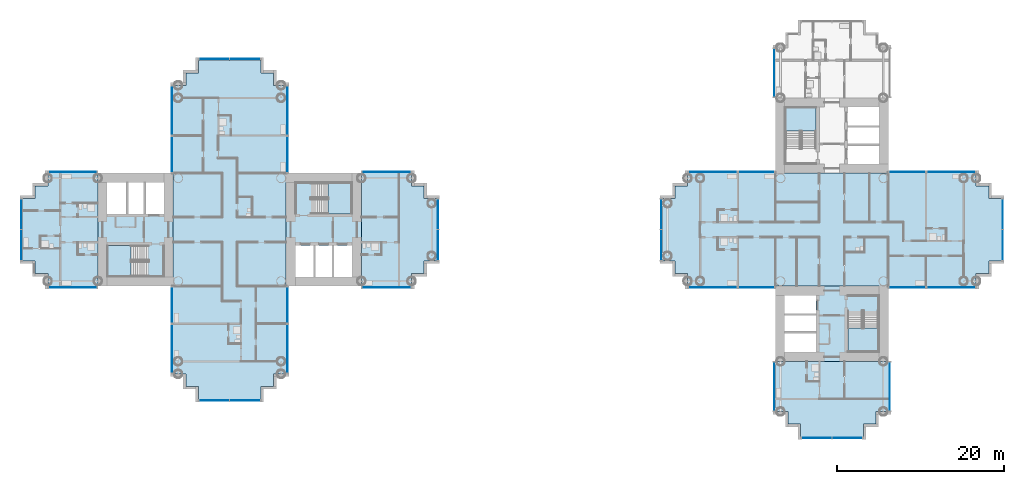
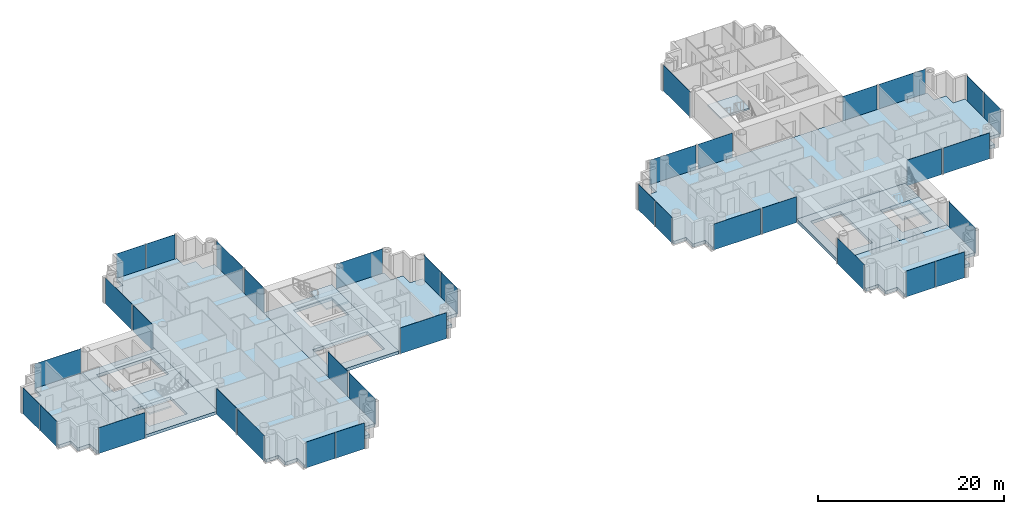
# One storey, part 7 of 21: 37 plates, 12 slabs, 34 elements without a shape of their own.
"""IFC4 building model written with IfcOpenShell, lengths in metres."""

from ifc_helpers import new_model, si_unit, direction, frame, origin, origin_2d, place, context, subcontext, project, spatial, polyline, rectangle, outline, extrude, material, layer, layer_set, type_object, element, aggregate, save


model = new_model("IFC4")

# Units and contexts
model_context = context("Model", 3, precision=1e-05, world=origin(), true_north=direction((0.0, 1.0)))
body_context = subcontext(model_context, "Body", "Model", "MODEL_VIEW")
ifc_project = project(units=[si_unit("LENGTHUNIT", "METRE"), si_unit("AREAUNIT", "SQUARE_METRE"), si_unit("VOLUMEUNIT", "CUBIC_METRE"), si_unit("PLANEANGLEUNIT", "RADIAN"), si_unit("MASSUNIT", "GRAM", prefix="KILO")], contexts=[model_context])

# Site, building, storey
site_placement = place(None, origin())
site = spatial("IfcSite", under=ifc_project, at=site_placement, CompositionType="ELEMENT")
building_placement = place(site_placement, origin())
building = spatial("IfcBuilding", under=site, at=building_placement, Name="Ipe Terrace Towers", CompositionType="ELEMENT")
storey_placement = place(building_placement, frame((0.0, 0.0, 41.5)))
storey = spatial("IfcBuildingStorey", under=building, at=storey_placement, Name="L10", CompositionType="ELEMENT", Elevation=41.5)

# Slabs
ifc_material_1 = material(Name="Concrete C30/37", Category="concrete")
ifc_layer_1 = layer(ifc_material_1, 0.39990234375)
ifc_layer_set_1 = layer_set([ifc_layer_1], Name="CORE FLOOR SLAB 400 C30-37")
slab_type_1 = type_object("IfcSlabType", Name="CORE FLOOR SLAB 400 C30-37", PredefinedType="FLOOR", material=ifc_layer_set_1)
slab_1_placement = place(storey_placement, frame((0.0, 0.0, -0.39990234375)))
element("IfcSlab", 1, at=slab_1_placement, inside=storey, type_object=slab_type_1, Name="Core floor T1-C1", PredefinedType="FLOOR", context=body_context, shape_type="SweptSolid", body=[
    extrude(outline(polyline([(-29.25, -6.75), (-29.25, 6.75), (-20.25, 6.75), (-20.25, -6.75), (-29.25, -6.75)]), holes=[polyline([(-28.14990234375, -5.64990234375), (-21.35009765625, -5.64990234375), (-21.35009765625, -1.89990234375), (-28.14990234375, -1.89990234375), (-28.14990234375, -5.64990234375)]), polyline([(-26.199951171875, 5.550048828125), (-26.199951171875, 1.89990234375), (-21.449951171875, 1.89990234375), (-21.449951171875, 5.550048828125), (-26.199951171875, 5.550048828125)])]), origin(), (0.0, 0.0, 1.0), 0.39990234375),
])
slab_2_placement = place(storey_placement, frame((0.0, 0.0, -0.39990234375)))
element("IfcSlab", 2, at=slab_2_placement, inside=storey, type_object=slab_type_1, Name="Core floor T1-C2", PredefinedType="FLOOR", context=body_context, shape_type="SweptSolid", body=[
    extrude(outline(polyline([(-51.75, -6.75), (-51.75, 6.75), (-42.75, 6.75), (-42.75, -6.75), (-51.75, -6.75)]), holes=[polyline([(-45.800048828125, -5.550048828125), (-45.800048828125, -1.89990234375), (-50.550048828125, -1.89990234375), (-50.550048828125, -5.550048828125), (-45.800048828125, -5.550048828125)]), polyline([(-50.64990234375, 1.89990234375), (-43.85009765625, 1.89990234375), (-43.85009765625, 5.64990234375), (-50.64990234375, 5.64990234375), (-50.64990234375, 1.89990234375)])]), origin(), (0.0, 0.0, 1.0), 0.39990234375),
])
slab_3_placement = place(storey_placement, frame((0.0, 0.0, -0.39990234375)))
element("IfcSlab", 3, at=slab_3_placement, inside=storey, type_object=slab_type_1, Name="Core floor T2-C2", PredefinedType="FLOOR", context=body_context, shape_type="SweptSolid", body=[
    extrude(outline(polyline([(29.25, -15.75), (29.25, -6.75), (42.75, -6.75), (42.75, -15.75), (29.25, -15.75)]), holes=[polyline([(34.10009765625, -14.64990234375), (34.10009765625, -7.85009765625), (30.35009765625, -7.85009765625), (30.35009765625, -14.64990234375), (34.10009765625, -14.64990234375)]), polyline([(41.550048828125, -9.800048828125), (37.89990234375, -9.800048828125), (37.89990234375, -14.550048828125), (41.550048828125, -14.550048828125), (41.550048828125, -9.800048828125)])]), origin(), (0.0, 0.0, 1.0), 0.39990234375),
])

# Stair, slab
ifc_material_2 = material(Name="Concrete C30/37", Category="concrete")
stair_type = type_object("IfcStairType", Name="Protected exit stair", PredefinedType="HALF_TURN_STAIR", material=ifc_material_2)
stair_1_placement = place(storey_placement, origin())
stair_1 = element("IfcStair", 4, at=stair_1_placement, inside=storey, type_object=stair_type, Name="L10 Exit stair T1-C1", PredefinedType="HALF_TURN_STAIR")
ifc_material_3 = material(Name="Concrete C30/37", Category="concrete")
ifc_layer_2 = layer(ifc_material_3, 0.199951171875)
ifc_layer_set_2 = layer_set([ifc_layer_2], Name="Exit stair landing 200")
slab_type_2 = type_object("IfcSlabType", Name="Exit stair landing 200", PredefinedType="LANDING", material=ifc_layer_set_2)
slab_4_placement = place(storey_placement, frame((0.0, 0.0, 1.5)))
slab_4 = element("IfcSlab", 5, at=slab_4_placement, type_object=slab_type_2, Name="T1-ST1 landing 1", PredefinedType="LANDING", context=body_context, shape_type="SweptSolid", body=[
    extrude(outline(polyline([(-24.219970703125, 1.89990234375), (-21.449951171875, 1.89990234375), (-21.449951171875, 5.550048828125), (-24.219970703125, 5.550048828125), (-24.219970703125, 1.89990234375)])), origin(), (0.0, 0.0, 1.0), 0.199951171875),
])
aggregate(stair_1, [slab_4])

stair_2_placement = place(storey_placement, origin())
stair_2 = element("IfcStair", 6, at=stair_2_placement, inside=storey, type_object=stair_type, Name="L10 Exit stair T1-C2", PredefinedType="HALF_TURN_STAIR")
slab_5_placement = place(storey_placement, frame((0.0, 0.0, 1.5)))
slab_5 = element("IfcSlab", 7, at=slab_5_placement, type_object=slab_type_2, Name="T1-ST2 landing 1", PredefinedType="LANDING", context=body_context, shape_type="SweptSolid", body=[
    extrude(outline(polyline([(-47.780029296875, -1.89990234375), (-50.550048828125, -1.89990234375), (-50.550048828125, -5.550048828125), (-47.780029296875, -5.550048828125), (-47.780029296875, -1.89990234375)])), origin(), (0.0, 0.0, 1.0), 0.199951171875),
])
aggregate(stair_2, [slab_5])

stair_3_placement = place(storey_placement, origin())
stair_3 = element("IfcStair", 8, at=stair_3_placement, inside=storey, type_object=stair_type, Name="L10 Exit stair T2-C1", PredefinedType="HALF_TURN_STAIR")
slab_6_placement = place(storey_placement, frame((0.0, 0.0, 1.5)))
slab_6 = element("IfcSlab", 9, at=slab_6_placement, type_object=slab_type_2, Name="T2-ST1 landing 1", PredefinedType="LANDING", context=body_context, shape_type="SweptSolid", body=[
    extrude(outline(polyline([(34.10009765625, 11.780029296875), (34.10009765625, 14.550048828125), (30.449951171875, 14.550048828125), (30.449951171875, 11.780029296875), (34.10009765625, 11.780029296875)])), origin(), (0.0, 0.0, 1.0), 0.199951171875),
])
aggregate(stair_3, [slab_6])

stair_4_placement = place(storey_placement, origin())
stair_4 = element("IfcStair", 10, at=stair_4_placement, inside=storey, type_object=stair_type, Name="L10 Exit stair T2-C2", PredefinedType="HALF_TURN_STAIR")
slab_7_placement = place(storey_placement, frame((0.0, 0.0, 1.5)))
slab_7 = element("IfcSlab", 11, at=slab_7_placement, type_object=slab_type_2, Name="T2-ST2 landing 1", PredefinedType="LANDING", context=body_context, shape_type="SweptSolid", body=[
    extrude(outline(polyline([(37.89990234375, -11.780029296875), (37.89990234375, -14.550048828125), (41.550048828125, -14.550048828125), (41.550048828125, -11.780029296875), (37.89990234375, -11.780029296875)])), origin(), (0.0, 0.0, 1.0), 0.199951171875),
])
aggregate(stair_4, [slab_7])

# Slabs
ifc_material_4 = material(Name="Concrete C40/50", Category="concrete")
ifc_layer_3 = layer(ifc_material_4, 0.39990234375)
ifc_layer_set_3 = layer_set([ifc_layer_3], Name="FLAT PLATE SLAB 400 C40-50")
slab_type_3 = type_object("IfcSlabType", Name="FLAT PLATE SLAB 400 C40-50", PredefinedType="FLOOR", material=ifc_layer_set_3)
slab_8_placement = place(storey_placement, frame((0.0, 0.0, -0.39990234375)))
element("IfcSlab", 12, at=slab_8_placement, inside=storey, type_object=slab_type_3, Name="Slab T1-FS-Z11", PredefinedType="FLOOR", context=body_context, shape_type="SweptSolid", body=[
    extrude(outline(polyline([(-30.75, -17.25), (-30.75, -18.75), (-32.25, -18.75), (-32.25, -20.25), (-39.75, -20.25), (-39.75, -18.75), (-41.25, -18.75), (-41.25, -17.25), (-42.75, -17.25), (-42.75, -6.75), (-42.75, 6.75), (-42.75, 17.25), (-41.25, 17.25), (-41.25, 18.75), (-39.75, 18.75), (-39.75, 20.25), (-32.25, 20.25), (-32.25, 18.75), (-30.75, 18.75), (-30.75, 17.25), (-29.25, 17.25), (-29.25, 6.75), (-29.25, -6.75), (-29.25, -17.25), (-30.75, -17.25)])), origin(), (0.0, 0.0, 1.0), 0.39990234375),
])
slab_9_placement = place(storey_placement, frame((0.0, 0.0, -0.39990234375)))
element("IfcSlab", 13, at=slab_9_placement, inside=storey, type_object=slab_type_3, Name="Slab T1-FS-Z12", PredefinedType="FLOOR", context=body_context, shape_type="SweptSolid", body=[
    extrude(outline(polyline([(-57.75, -6.75), (-57.75, -5.25), (-59.25, -5.25), (-59.25, -3.75), (-60.75, -3.75), (-60.75, 3.75), (-59.25, 3.75), (-59.25, 5.25), (-57.75, 5.25), (-57.75, 6.75), (-51.75, 6.75), (-51.75, -6.75), (-57.75, -6.75)])), origin(), (0.0, 0.0, 1.0), 0.39990234375),
])
slab_10_placement = place(storey_placement, frame((0.0, 0.0, -0.39990234375)))
element("IfcSlab", 14, at=slab_10_placement, inside=storey, type_object=slab_type_3, Name="Slab T1-FS-Z13", PredefinedType="FLOOR", context=body_context, shape_type="SweptSolid", body=[
    extrude(outline(polyline([(-14.25, 5.25), (-12.75, 5.25), (-12.75, 3.75), (-11.25, 3.75), (-11.25, -3.75), (-12.75, -3.75), (-12.75, -5.25), (-14.25, -5.25), (-14.25, -6.75), (-20.25, -6.75), (-20.25, 6.75), (-14.25, 6.75), (-14.25, 5.25)])), origin(), (0.0, 0.0, 1.0), 0.39990234375),
])
slab_11_placement = place(storey_placement, frame((0.0, 0.0, -0.39990234375)))
element("IfcSlab", 15, at=slab_11_placement, inside=storey, type_object=slab_type_3, Name="Slab T2-FS-Z11", PredefinedType="FLOOR", context=body_context, shape_type="SweptSolid", body=[
    extrude(outline(polyline([(53.25, 5.25), (54.75, 5.25), (54.75, 3.75), (56.25, 3.75), (56.25, -3.75), (54.75, -3.75), (54.75, -5.25), (53.25, -5.25), (53.25, -6.75), (42.75, -6.75), (29.25, -6.75), (18.75, -6.75), (18.75, -5.25), (17.25, -5.25), (17.25, -3.75), (15.75, -3.75), (15.75, 3.75), (17.25, 3.75), (17.25, 5.25), (18.75, 5.25), (18.75, 6.75), (29.25, 6.75), (42.75, 6.75), (53.25, 6.75), (53.25, 5.25)])), origin(), (0.0, 0.0, 1.0), 0.39990234375),
])
slab_12_placement = place(storey_placement, frame((0.0, 0.0, -0.39990234375)))
element("IfcSlab", 16, at=slab_12_placement, inside=storey, type_object=slab_type_3, Name="Slab T2-FS-Z12", PredefinedType="FLOOR", context=body_context, shape_type="SweptSolid", body=[
    extrude(outline(polyline([(42.75, -21.75), (41.25, -21.75), (41.25, -23.25), (39.75, -23.25), (39.75, -24.75), (32.25, -24.75), (32.25, -23.25), (30.75, -23.25), (30.75, -21.75), (29.25, -21.75), (29.25, -15.75), (42.75, -15.75), (42.75, -21.75)])), origin(), (0.0, 0.0, 1.0), 0.39990234375),
])

# Curtain wall, plate
ifc_material_5 = material(Name="Aluminium alloy 6063-T6", Category="aluminium")
ifc_layer_4 = layer(ifc_material_5, 0.320068359375)
ifc_layer_set_4 = layer_set([ifc_layer_4], Name="TOWER UNITISED CURTAIN WALL")
curtain_wall_type = type_object("IfcCurtainWallType", Name="TOWER UNITISED CURTAIN WALL", PredefinedType="NOTDEFINED", material=ifc_layer_set_4)
curtain_wall_1_placement = place(storey_placement, origin())
curtain_wall_1 = element("IfcCurtainWall", 17, at=curtain_wall_1_placement, inside=storey, type_object=curtain_wall_type, Name="T1-CW-L10-04a curtain wall", PredefinedType="NOTDEFINED")
ifc_material_6 = material(Name="Glass, clear laminated", Category="glass")
ifc_layer_5 = layer(ifc_material_6, 0.031982421875)
ifc_layer_set_5 = layer_set([ifc_layer_5], Name="TOWER UNITISED GLASS PANEL 32")
plate_type = type_object("IfcPlateType", Name="TOWER UNITISED GLASS PANEL 32", PredefinedType="CURTAIN_PANEL", material=ifc_layer_set_5)
plate_1_placement = place(storey_placement, frame((-54.75048828125, -6.909912109375, -0.300048828125), z_axis=(0.0, 0.0, 1.0), x_axis=(1.0, 0.0, 0.0)))
plate_1 = element("IfcPlate", 18, at=plate_1_placement, type_object=plate_type, Name="T1-CW-L10-04a panel 1", PredefinedType="CURTAIN_PANEL", context=body_context, shape_type="SweptSolid", body=[
    extrude(rectangle(XDim=5.759033203125, YDim=0.031982421875, at=origin_2d()), origin(), (0.0, 0.0, 1.0), 3.39990234375),
])
aggregate(curtain_wall_1, [plate_1])

curtain_wall_2_placement = place(storey_placement, origin())
curtain_wall_2 = element("IfcCurtainWall", 19, at=curtain_wall_2_placement, inside=storey, type_object=curtain_wall_type, Name="T1-CW-L10-06a curtain wall", PredefinedType="NOTDEFINED")
plate_2_placement = place(storey_placement, frame((-42.909912109375, -9.0, -0.300048828125), z_axis=(0.0, 0.0, 1.0), x_axis=(0.0, -1.0, 0.0)))
plate_2 = element("IfcPlate", 20, at=plate_2_placement, type_object=plate_type, Name="T1-CW-L10-06a panel 1", PredefinedType="CURTAIN_PANEL", context=body_context, shape_type="SweptSolid", body=[
    extrude(rectangle(XDim=4.260009765625, YDim=0.031982421875, at=origin_2d()), origin(), (0.0, 0.0, 1.0), 3.39990234375),
])
aggregate(curtain_wall_2, [plate_2])

curtain_wall_3_placement = place(storey_placement, origin())
curtain_wall_3 = element("IfcCurtainWall", 21, at=curtain_wall_3_placement, inside=storey, type_object=curtain_wall_type, Name="T1-CW-L10-07a curtain wall", PredefinedType="NOTDEFINED")
plate_3_placement = place(storey_placement, frame((-42.909912109375, -14.25, -0.300048828125), z_axis=(0.0, 0.0, 1.0), x_axis=(0.0, -1.0, 0.0)))
plate_3 = element("IfcPlate", 22, at=plate_3_placement, type_object=plate_type, Name="T1-CW-L10-07a panel 1", PredefinedType="CURTAIN_PANEL", context=body_context, shape_type="SweptSolid", body=[
    extrude(rectangle(XDim=5.760009765625, YDim=0.031982421875, at=origin_2d()), origin(), (0.0, 0.0, 1.0), 3.39990234375),
])
aggregate(curtain_wall_3, [plate_3])

# Curtain wall, plates
curtain_wall_4_placement = place(storey_placement, origin())
curtain_wall_4 = element("IfcCurtainWall", 23, at=curtain_wall_4_placement, inside=storey, type_object=curtain_wall_type, Name="T1-CW-L10-12a curtain wall", PredefinedType="NOTDEFINED")
plate_4_placement = place(storey_placement, frame((-37.831298828125, -20.409912109375, -0.300048828125), z_axis=(0.0, 0.0, 1.0), x_axis=(1.0, 0.0, 0.0)))
plate_4 = element("IfcPlate", 24, at=plate_4_placement, type_object=plate_type, Name="T1-CW-L10-12a panel 1", PredefinedType="CURTAIN_PANEL", context=body_context, shape_type="SweptSolid", body=[
    extrude(rectangle(XDim=3.597412109375, YDim=0.031982421875, at=origin_2d()), origin(), (0.0, 0.0, 1.0), 3.39990234375),
])
plate_5_placement = place(storey_placement, frame((-34.168701171875, -20.409912109375, -0.300048828125), z_axis=(0.0, 0.0, 1.0), x_axis=(1.0, 0.0, 0.0)))
plate_5 = element("IfcPlate", 25, at=plate_5_placement, type_object=plate_type, Name="T1-CW-L10-12a panel 2", PredefinedType="CURTAIN_PANEL", context=body_context, shape_type="SweptSolid", body=[
    extrude(rectangle(XDim=3.597412109375, YDim=0.031982421875, at=origin_2d()), origin(), (0.0, 0.0, 1.0), 3.39990234375),
])
aggregate(curtain_wall_4, [plate_4, plate_5])

# Curtain wall, plate
curtain_wall_5_placement = place(storey_placement, origin())
curtain_wall_5 = element("IfcCurtainWall", 26, at=curtain_wall_5_placement, inside=storey, type_object=curtain_wall_type, Name="T1-CW-L10-17a curtain wall", PredefinedType="NOTDEFINED")
plate_6_placement = place(storey_placement, frame((-29.090087890625, -14.25, -0.300048828125), z_axis=(0.0, 0.0, 1.0), x_axis=(0.0, 1.0, 0.0)))
plate_6 = element("IfcPlate", 27, at=plate_6_placement, type_object=plate_type, Name="T1-CW-L10-17a panel 1", PredefinedType="CURTAIN_PANEL", context=body_context, shape_type="SweptSolid", body=[
    extrude(rectangle(XDim=5.760009765625, YDim=0.031982421875, at=origin_2d()), origin(), (0.0, 0.0, 1.0), 3.39990234375),
])
aggregate(curtain_wall_5, [plate_6])

curtain_wall_6_placement = place(storey_placement, origin())
curtain_wall_6 = element("IfcCurtainWall", 28, at=curtain_wall_6_placement, inside=storey, type_object=curtain_wall_type, Name="T1-CW-L10-18a curtain wall", PredefinedType="NOTDEFINED")
plate_7_placement = place(storey_placement, frame((-29.090087890625, -9.0, -0.300048828125), z_axis=(0.0, 0.0, 1.0), x_axis=(0.0, 1.0, 0.0)))
plate_7 = element("IfcPlate", 29, at=plate_7_placement, type_object=plate_type, Name="T1-CW-L10-18a panel 1", PredefinedType="CURTAIN_PANEL", context=body_context, shape_type="SweptSolid", body=[
    extrude(rectangle(XDim=4.260009765625, YDim=0.031982421875, at=origin_2d()), origin(), (0.0, 0.0, 1.0), 3.39990234375),
])
aggregate(curtain_wall_6, [plate_7])

curtain_wall_7_placement = place(storey_placement, origin())
curtain_wall_7 = element("IfcCurtainWall", 30, at=curtain_wall_7_placement, inside=storey, type_object=curtain_wall_type, Name="T1-CW-L10-20b curtain wall", PredefinedType="NOTDEFINED")
plate_8_placement = place(storey_placement, frame((-17.24951171875, -6.909912109375, -0.300048828125), z_axis=(0.0, 0.0, 1.0), x_axis=(1.0, 0.0, 0.0)))
plate_8 = element("IfcPlate", 31, at=plate_8_placement, type_object=plate_type, Name="T1-CW-L10-20b panel 1", PredefinedType="CURTAIN_PANEL", context=body_context, shape_type="SweptSolid", body=[
    extrude(rectangle(XDim=5.759033203125, YDim=0.031982421875, at=origin_2d()), origin(), (0.0, 0.0, 1.0), 3.39990234375),
])
aggregate(curtain_wall_7, [plate_8])

# Curtain wall, plates
curtain_wall_8_placement = place(storey_placement, origin())
curtain_wall_8 = element("IfcCurtainWall", 32, at=curtain_wall_8_placement, inside=storey, type_object=curtain_wall_type, Name="T1-CW-L10-25a curtain wall", PredefinedType="NOTDEFINED")
plate_9_placement = place(storey_placement, frame((-11.090087890625, -1.831298828125, -0.300048828125), z_axis=(0.0, 0.0, 1.0), x_axis=(0.0, 1.0, 0.0)))
plate_9 = element("IfcPlate", 33, at=plate_9_placement, type_object=plate_type, Name="T1-CW-L10-25a panel 1", PredefinedType="CURTAIN_PANEL", context=body_context, shape_type="SweptSolid", body=[
    extrude(rectangle(XDim=3.597412109375, YDim=0.031982421875, at=origin_2d()), origin(), (0.0, 0.0, 1.0), 3.39990234375),
])
plate_10_placement = place(storey_placement, frame((-11.090087890625, 1.831298828125, -0.300048828125), z_axis=(0.0, 0.0, 1.0), x_axis=(0.0, 1.0, 0.0)))
plate_10 = element("IfcPlate", 34, at=plate_10_placement, type_object=plate_type, Name="T1-CW-L10-25a panel 2", PredefinedType="CURTAIN_PANEL", context=body_context, shape_type="SweptSolid", body=[
    extrude(rectangle(XDim=3.597412109375, YDim=0.031982421875, at=origin_2d()), origin(), (0.0, 0.0, 1.0), 3.39990234375),
])
aggregate(curtain_wall_8, [plate_9, plate_10])

# Curtain wall, plate
curtain_wall_9_placement = place(storey_placement, origin())
curtain_wall_9 = element("IfcCurtainWall", 35, at=curtain_wall_9_placement, inside=storey, type_object=curtain_wall_type, Name="T1-CW-L10-30a curtain wall", PredefinedType="NOTDEFINED")
plate_11_placement = place(storey_placement, frame((-17.24951171875, 6.909912109375, -0.300048828125), z_axis=(0.0, 0.0, 1.0), x_axis=(-1.0, 0.0, 0.0)))
plate_11 = element("IfcPlate", 36, at=plate_11_placement, type_object=plate_type, Name="T1-CW-L10-30a panel 1", PredefinedType="CURTAIN_PANEL", context=body_context, shape_type="SweptSolid", body=[
    extrude(rectangle(XDim=5.759033203125, YDim=0.031982421875, at=origin_2d()), origin(), (0.0, 0.0, 1.0), 3.39990234375),
])
aggregate(curtain_wall_9, [plate_11])

curtain_wall_10_placement = place(storey_placement, origin())
curtain_wall_10 = element("IfcCurtainWall", 37, at=curtain_wall_10_placement, inside=storey, type_object=curtain_wall_type, Name="T1-CW-L10-32a curtain wall", PredefinedType="NOTDEFINED")
plate_12_placement = place(storey_placement, frame((-29.090087890625, 9.0, -0.300048828125), z_axis=(0.0, 0.0, 1.0), x_axis=(0.0, 1.0, 0.0)))
plate_12 = element("IfcPlate", 38, at=plate_12_placement, type_object=plate_type, Name="T1-CW-L10-32a panel 1", PredefinedType="CURTAIN_PANEL", context=body_context, shape_type="SweptSolid", body=[
    extrude(rectangle(XDim=4.260009765625, YDim=0.031982421875, at=origin_2d()), origin(), (0.0, 0.0, 1.0), 3.39990234375),
])
aggregate(curtain_wall_10, [plate_12])

curtain_wall_11_placement = place(storey_placement, origin())
curtain_wall_11 = element("IfcCurtainWall", 39, at=curtain_wall_11_placement, inside=storey, type_object=curtain_wall_type, Name="T1-CW-L10-33a curtain wall", PredefinedType="NOTDEFINED")
plate_13_placement = place(storey_placement, frame((-29.090087890625, 14.25, -0.300048828125), z_axis=(0.0, 0.0, 1.0), x_axis=(0.0, 1.0, 0.0)))
plate_13 = element("IfcPlate", 40, at=plate_13_placement, type_object=plate_type, Name="T1-CW-L10-33a panel 1", PredefinedType="CURTAIN_PANEL", context=body_context, shape_type="SweptSolid", body=[
    extrude(rectangle(XDim=5.760009765625, YDim=0.031982421875, at=origin_2d()), origin(), (0.0, 0.0, 1.0), 3.39990234375),
])
aggregate(curtain_wall_11, [plate_13])

# Curtain wall, plates
curtain_wall_12_placement = place(storey_placement, origin())
curtain_wall_12 = element("IfcCurtainWall", 41, at=curtain_wall_12_placement, inside=storey, type_object=curtain_wall_type, Name="T1-CW-L10-38a curtain wall", PredefinedType="NOTDEFINED")
plate_14_placement = place(storey_placement, frame((-34.168701171875, 20.409912109375, -0.300048828125), z_axis=(0.0, 0.0, 1.0), x_axis=(-1.0, 0.0, 0.0)))
plate_14 = element("IfcPlate", 42, at=plate_14_placement, type_object=plate_type, Name="T1-CW-L10-38a panel 1", PredefinedType="CURTAIN_PANEL", context=body_context, shape_type="SweptSolid", body=[
    extrude(rectangle(XDim=3.597412109375, YDim=0.031982421875, at=origin_2d()), origin(), (0.0, 0.0, 1.0), 3.39990234375),
])
plate_15_placement = place(storey_placement, frame((-37.831298828125, 20.409912109375, -0.300048828125), z_axis=(0.0, 0.0, 1.0), x_axis=(-1.0, 0.0, 0.0)))
plate_15 = element("IfcPlate", 43, at=plate_15_placement, type_object=plate_type, Name="T1-CW-L10-38a panel 2", PredefinedType="CURTAIN_PANEL", context=body_context, shape_type="SweptSolid", body=[
    extrude(rectangle(XDim=3.597412109375, YDim=0.031982421875, at=origin_2d()), origin(), (0.0, 0.0, 1.0), 3.39990234375),
])
aggregate(curtain_wall_12, [plate_14, plate_15])

# Curtain wall, plate
curtain_wall_13_placement = place(storey_placement, origin())
curtain_wall_13 = element("IfcCurtainWall", 44, at=curtain_wall_13_placement, inside=storey, type_object=curtain_wall_type, Name="T1-CW-L10-43a curtain wall", PredefinedType="NOTDEFINED")
plate_16_placement = place(storey_placement, frame((-42.909912109375, 14.25, -0.300048828125), z_axis=(0.0, 0.0, 1.0), x_axis=(0.0, -1.0, 0.0)))
plate_16 = element("IfcPlate", 45, at=plate_16_placement, type_object=plate_type, Name="T1-CW-L10-43a panel 1", PredefinedType="CURTAIN_PANEL", context=body_context, shape_type="SweptSolid", body=[
    extrude(rectangle(XDim=5.760009765625, YDim=0.031982421875, at=origin_2d()), origin(), (0.0, 0.0, 1.0), 3.39990234375),
])
aggregate(curtain_wall_13, [plate_16])

curtain_wall_14_placement = place(storey_placement, origin())
curtain_wall_14 = element("IfcCurtainWall", 46, at=curtain_wall_14_placement, inside=storey, type_object=curtain_wall_type, Name="T1-CW-L10-44a curtain wall", PredefinedType="NOTDEFINED")
plate_17_placement = place(storey_placement, frame((-42.909912109375, 9.0, -0.300048828125), z_axis=(0.0, 0.0, 1.0), x_axis=(0.0, -1.0, 0.0)))
plate_17 = element("IfcPlate", 47, at=plate_17_placement, type_object=plate_type, Name="T1-CW-L10-44a panel 1", PredefinedType="CURTAIN_PANEL", context=body_context, shape_type="SweptSolid", body=[
    extrude(rectangle(XDim=4.260009765625, YDim=0.031982421875, at=origin_2d()), origin(), (0.0, 0.0, 1.0), 3.39990234375),
])
aggregate(curtain_wall_14, [plate_17])

curtain_wall_15_placement = place(storey_placement, origin())
curtain_wall_15 = element("IfcCurtainWall", 48, at=curtain_wall_15_placement, inside=storey, type_object=curtain_wall_type, Name="T1-CW-L10-46b curtain wall", PredefinedType="NOTDEFINED")
plate_18_placement = place(storey_placement, frame((-54.75048828125, 6.909912109375, -0.300048828125), z_axis=(0.0, 0.0, 1.0), x_axis=(-1.0, 0.0, 0.0)))
plate_18 = element("IfcPlate", 49, at=plate_18_placement, type_object=plate_type, Name="T1-CW-L10-46b panel 1", PredefinedType="CURTAIN_PANEL", context=body_context, shape_type="SweptSolid", body=[
    extrude(rectangle(XDim=5.759033203125, YDim=0.031982421875, at=origin_2d()), origin(), (0.0, 0.0, 1.0), 3.39990234375),
])
aggregate(curtain_wall_15, [plate_18])

# Curtain wall, plates
curtain_wall_16_placement = place(storey_placement, origin())
curtain_wall_16 = element("IfcCurtainWall", 50, at=curtain_wall_16_placement, inside=storey, type_object=curtain_wall_type, Name="T1-CW-L10-51a curtain wall", PredefinedType="NOTDEFINED")
plate_19_placement = place(storey_placement, frame((-60.909912109375, 1.831298828125, -0.300048828125), z_axis=(0.0, 0.0, 1.0), x_axis=(0.0, -1.0, 0.0)))
plate_19 = element("IfcPlate", 51, at=plate_19_placement, type_object=plate_type, Name="T1-CW-L10-51a panel 1", PredefinedType="CURTAIN_PANEL", context=body_context, shape_type="SweptSolid", body=[
    extrude(rectangle(XDim=3.597412109375, YDim=0.031982421875, at=origin_2d()), origin(), (0.0, 0.0, 1.0), 3.39990234375),
])
plate_20_placement = place(storey_placement, frame((-60.909912109375, -1.831298828125, -0.300048828125), z_axis=(0.0, 0.0, 1.0), x_axis=(0.0, -1.0, 0.0)))
plate_20 = element("IfcPlate", 52, at=plate_20_placement, type_object=plate_type, Name="T1-CW-L10-51a panel 2", PredefinedType="CURTAIN_PANEL", context=body_context, shape_type="SweptSolid", body=[
    extrude(rectangle(XDim=3.597412109375, YDim=0.031982421875, at=origin_2d()), origin(), (0.0, 0.0, 1.0), 3.39990234375),
])
aggregate(curtain_wall_16, [plate_19, plate_20])

# Curtain wall, plate
curtain_wall_17_placement = place(storey_placement, origin())
curtain_wall_17 = element("IfcCurtainWall", 53, at=curtain_wall_17_placement, inside=storey, type_object=curtain_wall_type, Name="T2-CW-L10-04a curtain wall", PredefinedType="NOTDEFINED")
plate_21_placement = place(storey_placement, frame((42.909912109375, -18.75048828125, -0.300048828125), z_axis=(0.0, 0.0, 1.0), x_axis=(0.0, 1.0, 0.0)))
plate_21 = element("IfcPlate", 54, at=plate_21_placement, type_object=plate_type, Name="T2-CW-L10-04a panel 1", PredefinedType="CURTAIN_PANEL", context=body_context, shape_type="SweptSolid", body=[
    extrude(rectangle(XDim=5.759033203125, YDim=0.031982421875, at=origin_2d()), origin(), (0.0, 0.0, 1.0), 3.39990234375),
])
aggregate(curtain_wall_17, [plate_21])

curtain_wall_18_placement = place(storey_placement, origin())
curtain_wall_18 = element("IfcCurtainWall", 55, at=curtain_wall_18_placement, inside=storey, type_object=curtain_wall_type, Name="T2-CW-L10-06a curtain wall", PredefinedType="NOTDEFINED")
plate_22_placement = place(storey_placement, frame((45.0, -6.909912109375, -0.300048828125), z_axis=(0.0, 0.0, 1.0), x_axis=(1.0, 0.0, 0.0)))
plate_22 = element("IfcPlate", 56, at=plate_22_placement, type_object=plate_type, Name="T2-CW-L10-06a panel 1", PredefinedType="CURTAIN_PANEL", context=body_context, shape_type="SweptSolid", body=[
    extrude(rectangle(XDim=4.260009765625, YDim=0.031982421875, at=origin_2d()), origin(), (0.0, 0.0, 1.0), 3.39990234375),
])
aggregate(curtain_wall_18, [plate_22])

curtain_wall_19_placement = place(storey_placement, origin())
curtain_wall_19 = element("IfcCurtainWall", 57, at=curtain_wall_19_placement, inside=storey, type_object=curtain_wall_type, Name="T2-CW-L10-07a curtain wall", PredefinedType="NOTDEFINED")
plate_23_placement = place(storey_placement, frame((50.25, -6.909912109375, -0.300048828125), z_axis=(0.0, 0.0, 1.0), x_axis=(1.0, 0.0, 0.0)))
plate_23 = element("IfcPlate", 58, at=plate_23_placement, type_object=plate_type, Name="T2-CW-L10-07a panel 1", PredefinedType="CURTAIN_PANEL", context=body_context, shape_type="SweptSolid", body=[
    extrude(rectangle(XDim=5.760009765625, YDim=0.031982421875, at=origin_2d()), origin(), (0.0, 0.0, 1.0), 3.39990234375),
])
aggregate(curtain_wall_19, [plate_23])

# Curtain wall, plates
curtain_wall_20_placement = place(storey_placement, origin())
curtain_wall_20 = element("IfcCurtainWall", 59, at=curtain_wall_20_placement, inside=storey, type_object=curtain_wall_type, Name="T2-CW-L10-12a curtain wall", PredefinedType="NOTDEFINED")
plate_24_placement = place(storey_placement, frame((56.409912109375, -1.831298828125, -0.300048828125), z_axis=(0.0, 0.0, 1.0), x_axis=(0.0, 1.0, 0.0)))
plate_24 = element("IfcPlate", 60, at=plate_24_placement, type_object=plate_type, Name="T2-CW-L10-12a panel 1", PredefinedType="CURTAIN_PANEL", context=body_context, shape_type="SweptSolid", body=[
    extrude(rectangle(XDim=3.597412109375, YDim=0.031982421875, at=origin_2d()), origin(), (0.0, 0.0, 1.0), 3.39990234375),
])
plate_25_placement = place(storey_placement, frame((56.409912109375, 1.831298828125, -0.300048828125), z_axis=(0.0, 0.0, 1.0), x_axis=(0.0, 1.0, 0.0)))
plate_25 = element("IfcPlate", 61, at=plate_25_placement, type_object=plate_type, Name="T2-CW-L10-12a panel 2", PredefinedType="CURTAIN_PANEL", context=body_context, shape_type="SweptSolid", body=[
    extrude(rectangle(XDim=3.597412109375, YDim=0.031982421875, at=origin_2d()), origin(), (0.0, 0.0, 1.0), 3.39990234375),
])
aggregate(curtain_wall_20, [plate_24, plate_25])

# Curtain wall, plate
curtain_wall_21_placement = place(storey_placement, origin())
curtain_wall_21 = element("IfcCurtainWall", 62, at=curtain_wall_21_placement, inside=storey, type_object=curtain_wall_type, Name="T2-CW-L10-17a curtain wall", PredefinedType="NOTDEFINED")
plate_26_placement = place(storey_placement, frame((50.25, 6.909912109375, -0.300048828125), z_axis=(0.0, 0.0, 1.0), x_axis=(-1.0, 0.0, 0.0)))
plate_26 = element("IfcPlate", 63, at=plate_26_placement, type_object=plate_type, Name="T2-CW-L10-17a panel 1", PredefinedType="CURTAIN_PANEL", context=body_context, shape_type="SweptSolid", body=[
    extrude(rectangle(XDim=5.760009765625, YDim=0.031982421875, at=origin_2d()), origin(), (0.0, 0.0, 1.0), 3.39990234375),
])
aggregate(curtain_wall_21, [plate_26])

curtain_wall_22_placement = place(storey_placement, origin())
curtain_wall_22 = element("IfcCurtainWall", 64, at=curtain_wall_22_placement, inside=storey, type_object=curtain_wall_type, Name="T2-CW-L10-18a curtain wall", PredefinedType="NOTDEFINED")
plate_27_placement = place(storey_placement, frame((45.0, 6.909912109375, -0.300048828125), z_axis=(0.0, 0.0, 1.0), x_axis=(-1.0, 0.0, 0.0)))
plate_27 = element("IfcPlate", 65, at=plate_27_placement, type_object=plate_type, Name="T2-CW-L10-18a panel 1", PredefinedType="CURTAIN_PANEL", context=body_context, shape_type="SweptSolid", body=[
    extrude(rectangle(XDim=4.260009765625, YDim=0.031982421875, at=origin_2d()), origin(), (0.0, 0.0, 1.0), 3.39990234375),
])
aggregate(curtain_wall_22, [plate_27])

curtain_wall_23_placement = place(storey_placement, origin())
curtain_wall_23 = element("IfcCurtainWall", 66, at=curtain_wall_23_placement, inside=storey, type_object=curtain_wall_type, Name="T2-CW-L10-30a curtain wall", PredefinedType="NOTDEFINED")
plate_28_placement = place(storey_placement, frame((29.090087890625, 18.75048828125, -0.300048828125), z_axis=(0.0, 0.0, 1.0), x_axis=(0.0, -1.0, 0.0)))
plate_28 = element("IfcPlate", 67, at=plate_28_placement, type_object=plate_type, Name="T2-CW-L10-30a panel 1", PredefinedType="CURTAIN_PANEL", context=body_context, shape_type="SweptSolid", body=[
    extrude(rectangle(XDim=5.759033203125, YDim=0.031982421875, at=origin_2d()), origin(), (0.0, 0.0, 1.0), 3.39990234375),
])
aggregate(curtain_wall_23, [plate_28])

curtain_wall_24_placement = place(storey_placement, origin())
curtain_wall_24 = element("IfcCurtainWall", 68, at=curtain_wall_24_placement, inside=storey, type_object=curtain_wall_type, Name="T2-CW-L10-32a curtain wall", PredefinedType="NOTDEFINED")
plate_29_placement = place(storey_placement, frame((27.0, 6.909912109375, -0.300048828125), z_axis=(0.0, 0.0, 1.0), x_axis=(-1.0, 0.0, 0.0)))
plate_29 = element("IfcPlate", 69, at=plate_29_placement, type_object=plate_type, Name="T2-CW-L10-32a panel 1", PredefinedType="CURTAIN_PANEL", context=body_context, shape_type="SweptSolid", body=[
    extrude(rectangle(XDim=4.260009765625, YDim=0.031982421875, at=origin_2d()), origin(), (0.0, 0.0, 1.0), 3.39990234375),
])
aggregate(curtain_wall_24, [plate_29])

curtain_wall_25_placement = place(storey_placement, origin())
curtain_wall_25 = element("IfcCurtainWall", 70, at=curtain_wall_25_placement, inside=storey, type_object=curtain_wall_type, Name="T2-CW-L10-33a curtain wall", PredefinedType="NOTDEFINED")
plate_30_placement = place(storey_placement, frame((21.75, 6.909912109375, -0.300048828125), z_axis=(0.0, 0.0, 1.0), x_axis=(-1.0, 0.0, 0.0)))
plate_30 = element("IfcPlate", 71, at=plate_30_placement, type_object=plate_type, Name="T2-CW-L10-33a panel 1", PredefinedType="CURTAIN_PANEL", context=body_context, shape_type="SweptSolid", body=[
    extrude(rectangle(XDim=5.760009765625, YDim=0.031982421875, at=origin_2d()), origin(), (0.0, 0.0, 1.0), 3.39990234375),
])
aggregate(curtain_wall_25, [plate_30])

# Curtain wall, plates
curtain_wall_26_placement = place(storey_placement, origin())
curtain_wall_26 = element("IfcCurtainWall", 72, at=curtain_wall_26_placement, inside=storey, type_object=curtain_wall_type, Name="T2-CW-L10-38a curtain wall", PredefinedType="NOTDEFINED")
plate_31_placement = place(storey_placement, frame((15.590087890625, 1.831298828125, -0.300048828125), z_axis=(0.0, 0.0, 1.0), x_axis=(0.0, -1.0, 0.0)))
plate_31 = element("IfcPlate", 73, at=plate_31_placement, type_object=plate_type, Name="T2-CW-L10-38a panel 1", PredefinedType="CURTAIN_PANEL", context=body_context, shape_type="SweptSolid", body=[
    extrude(rectangle(XDim=3.597412109375, YDim=0.031982421875, at=origin_2d()), origin(), (0.0, 0.0, 1.0), 3.39990234375),
])
plate_32_placement = place(storey_placement, frame((15.590087890625, -1.831298828125, -0.300048828125), z_axis=(0.0, 0.0, 1.0), x_axis=(0.0, -1.0, 0.0)))
plate_32 = element("IfcPlate", 74, at=plate_32_placement, type_object=plate_type, Name="T2-CW-L10-38a panel 2", PredefinedType="CURTAIN_PANEL", context=body_context, shape_type="SweptSolid", body=[
    extrude(rectangle(XDim=3.597412109375, YDim=0.031982421875, at=origin_2d()), origin(), (0.0, 0.0, 1.0), 3.39990234375),
])
aggregate(curtain_wall_26, [plate_31, plate_32])

# Curtain wall, plate
curtain_wall_27_placement = place(storey_placement, origin())
curtain_wall_27 = element("IfcCurtainWall", 75, at=curtain_wall_27_placement, inside=storey, type_object=curtain_wall_type, Name="T2-CW-L10-43a curtain wall", PredefinedType="NOTDEFINED")
plate_33_placement = place(storey_placement, frame((21.75, -6.909912109375, -0.300048828125), z_axis=(0.0, 0.0, 1.0), x_axis=(1.0, 0.0, 0.0)))
plate_33 = element("IfcPlate", 76, at=plate_33_placement, type_object=plate_type, Name="T2-CW-L10-43a panel 1", PredefinedType="CURTAIN_PANEL", context=body_context, shape_type="SweptSolid", body=[
    extrude(rectangle(XDim=5.760009765625, YDim=0.031982421875, at=origin_2d()), origin(), (0.0, 0.0, 1.0), 3.39990234375),
])
aggregate(curtain_wall_27, [plate_33])

curtain_wall_28_placement = place(storey_placement, origin())
curtain_wall_28 = element("IfcCurtainWall", 77, at=curtain_wall_28_placement, inside=storey, type_object=curtain_wall_type, Name="T2-CW-L10-44a curtain wall", PredefinedType="NOTDEFINED")
plate_34_placement = place(storey_placement, frame((27.0, -6.909912109375, -0.300048828125), z_axis=(0.0, 0.0, 1.0), x_axis=(1.0, 0.0, 0.0)))
plate_34 = element("IfcPlate", 78, at=plate_34_placement, type_object=plate_type, Name="T2-CW-L10-44a panel 1", PredefinedType="CURTAIN_PANEL", context=body_context, shape_type="SweptSolid", body=[
    extrude(rectangle(XDim=4.260009765625, YDim=0.031982421875, at=origin_2d()), origin(), (0.0, 0.0, 1.0), 3.39990234375),
])
aggregate(curtain_wall_28, [plate_34])

curtain_wall_29_placement = place(storey_placement, origin())
curtain_wall_29 = element("IfcCurtainWall", 79, at=curtain_wall_29_placement, inside=storey, type_object=curtain_wall_type, Name="T2-CW-L10-46b curtain wall", PredefinedType="NOTDEFINED")
plate_35_placement = place(storey_placement, frame((29.090087890625, -18.75048828125, -0.300048828125), z_axis=(0.0, 0.0, 1.0), x_axis=(0.0, -1.0, 0.0)))
plate_35 = element("IfcPlate", 80, at=plate_35_placement, type_object=plate_type, Name="T2-CW-L10-46b panel 1", PredefinedType="CURTAIN_PANEL", context=body_context, shape_type="SweptSolid", body=[
    extrude(rectangle(XDim=5.759033203125, YDim=0.031982421875, at=origin_2d()), origin(), (0.0, 0.0, 1.0), 3.39990234375),
])
aggregate(curtain_wall_29, [plate_35])

# Curtain wall, plates
curtain_wall_30_placement = place(storey_placement, origin())
curtain_wall_30 = element("IfcCurtainWall", 81, at=curtain_wall_30_placement, inside=storey, type_object=curtain_wall_type, Name="T2-CW-L10-51a curtain wall", PredefinedType="NOTDEFINED")
plate_36_placement = place(storey_placement, frame((34.168701171875, -24.909912109375, -0.300048828125), z_axis=(0.0, 0.0, 1.0), x_axis=(1.0, 0.0, 0.0)))
plate_36 = element("IfcPlate", 82, at=plate_36_placement, type_object=plate_type, Name="T2-CW-L10-51a panel 1", PredefinedType="CURTAIN_PANEL", context=body_context, shape_type="SweptSolid", body=[
    extrude(rectangle(XDim=3.597412109375, YDim=0.031982421875, at=origin_2d()), origin(), (0.0, 0.0, 1.0), 3.39990234375),
])
plate_37_placement = place(storey_placement, frame((37.831298828125, -24.909912109375, -0.300048828125), z_axis=(0.0, 0.0, 1.0), x_axis=(1.0, 0.0, 0.0)))
plate_37 = element("IfcPlate", 83, at=plate_37_placement, type_object=plate_type, Name="T2-CW-L10-51a panel 2", PredefinedType="CURTAIN_PANEL", context=body_context, shape_type="SweptSolid", body=[
    extrude(rectangle(XDim=3.597412109375, YDim=0.031982421875, at=origin_2d()), origin(), (0.0, 0.0, 1.0), 3.39990234375),
])
aggregate(curtain_wall_30, [plate_36, plate_37])

save(model, "model.ifc")
